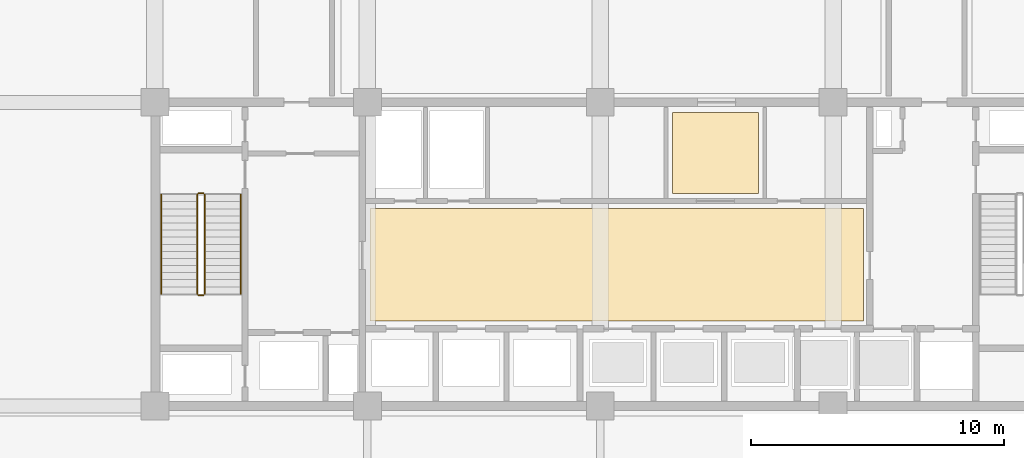
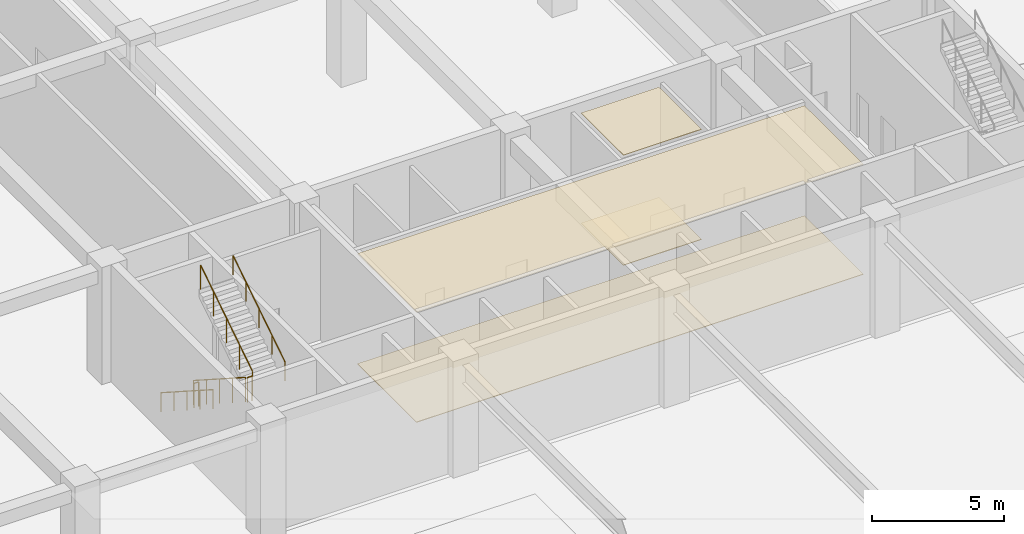
# One storey, part 40 of 46: 6 railings, 4 coverings.
"""IFC4 building model written with IfcOpenShell, lengths in metres."""

from ifc_helpers import new_model, si_unit, direction, frame, origin, origin_2d, place, context, subcontext, project, spatial, polyline, circle, outline, extrude, material, layer, layer_set, type_object, element, save


model = new_model("IFC4")

# Units and contexts
model_context = context("Model", 3, precision=1e-05, world=origin(), true_north=direction((0.0, 1.0)))
body_context = subcontext(model_context, "Body", "Model", "MODEL_VIEW")
ifc_project = project(units=[si_unit("LENGTHUNIT", "METRE"), si_unit("AREAUNIT", "SQUARE_METRE"), si_unit("VOLUMEUNIT", "CUBIC_METRE"), si_unit("PLANEANGLEUNIT", "RADIAN"), si_unit("MASSUNIT", "GRAM", prefix="KILO")], contexts=[model_context])

# Site, building, storey
site_placement = place(None, origin())
site = spatial("IfcSite", under=ifc_project, at=site_placement, CompositionType="ELEMENT")
building_placement = place(site_placement, origin())
building = spatial("IfcBuilding", under=site, at=building_placement, Name="Korimba Cascade Residences", CompositionType="ELEMENT")
storey_placement = place(building_placement, origin())
storey = spatial("IfcBuildingStorey", under=building, at=storey_placement, Name="L00", CompositionType="ELEMENT", Elevation=0.0)

# Coverings
ifc_material_1 = material(Name="Perforated Acoustic Gypsum Ceiling", Category="gypsum")
ifc_layer_1 = layer(ifc_material_1, 0.02490234375)
ifc_layer_set_1 = layer_set([ifc_layer_1], Name="Perforated Acoustic Gypsum Ceiling")
covering_type_1 = type_object("IfcCoveringType", Name="COV-CLG-AC", PredefinedType="CEILING", material=ifc_layer_set_1)
covering_1_placement = place(storey_placement, frame((0.0, 0.0, 5.074951171875)))
element("IfcCovering", 1, at=covering_1_placement, inside=storey, type_object=covering_type_1, Name="L00 Suspended Acoustic Ceiling L00-LL1", PredefinedType="CEILING", context=body_context, shape_type="SweptSolid", body=[
    extrude(outline(polyline([(84.60009765625, 58.550048828125), (104.10009765625, 58.550048828125), (104.10009765625, 63.0), (84.60009765625, 63.0), (84.60009765625, 58.550048828125)])), origin(), (0.0, 0.0, 1.0), 0.025146484375),
])
covering_2_placement = place(storey_placement, frame((0.0, 0.0, 5.074951171875)))
element("IfcCovering", 2, at=covering_2_placement, inside=storey, type_object=covering_type_1, Name="L00 Suspended Acoustic Ceiling L00-LT1", PredefinedType="CEILING", context=body_context, shape_type="SweptSolid", body=[
    extrude(outline(polyline([(96.550048828125, 63.60009765625), (99.949951171875, 63.60009765625), (99.949951171875, 66.800048828125), (96.550048828125, 66.800048828125), (96.550048828125, 63.60009765625)])), origin(), (0.0, 0.0, 1.0), 0.025146484375),
])
ifc_material_2 = material(Name="Honed Travertine Stone Flooring", Category="masonry")
ifc_layer_2 = layer(ifc_material_2, 0.02490234375)
ifc_layer_set_2 = layer_set([ifc_layer_2], Name="Honed Travertine Stone Flooring")
covering_type_2 = type_object("IfcCoveringType", Name="COV-FLR-STN", PredefinedType="FLOORING", material=ifc_layer_set_2)
covering_3_placement = place(storey_placement, origin())
element("IfcCovering", 3, at=covering_3_placement, inside=storey, type_object=covering_type_2, Name="L00 Honed Travertine Stone Flooring L00-LL1", PredefinedType="FLOORING", context=body_context, shape_type="SweptSolid", body=[
    extrude(outline(polyline([(84.60009765625, 58.550048828125), (104.10009765625, 58.550048828125), (104.10009765625, 63.0), (84.60009765625, 63.0), (84.60009765625, 58.550048828125)])), origin(), (0.0, 0.0, 1.0), 0.02490234375),
])
covering_4_placement = place(storey_placement, origin())
element("IfcCovering", 4, at=covering_4_placement, inside=storey, type_object=covering_type_2, Name="L00 Honed Travertine Stone Flooring L00-LT1", PredefinedType="FLOORING", context=body_context, shape_type="SweptSolid", body=[
    extrude(outline(polyline([(96.550048828125, 63.60009765625), (99.949951171875, 63.60009765625), (99.949951171875, 66.800048828125), (96.550048828125, 66.800048828125), (96.550048828125, 63.60009765625)])), origin(), (0.0, 0.0, 1.0), 0.02490234375),
])

# Railings
ifc_material_3 = material(Name="Painted Steel Stairwell Guardrail", Category="steel")
railing_type_1 = type_object("IfcRailingType", Name="RLG-ST-GD1150", PredefinedType="GUARDRAIL", material=ifc_material_3)
railing_1_placement = place(storey_placement, frame((77.77001953125, 63.550048828125, 0.179931640625)))
element("IfcRailing", 5, at=railing_1_placement, inside=storey, type_object=railing_type_1, Name="L00 ST-W1 stair guard 1", PredefinedType="GUARDRAIL", context=body_context, shape_type="SweptSolid", body=[
    extrude(circle(Radius=0.02392578125, at=origin_2d()), frame((0.0, 0.0, 1.1259765625), z_axis=(0.0, -0.841186985886, 0.540744352514), x_axis=(1.0, 0.0, 0.0)), (0.0, 0.0, 1.0), 4.660400390625),
    extrude(circle(Radius=0.02099609375, at=origin_2d()), origin(), (0.0, 0.0, 1.0), 1.101806640625),
    extrude(circle(Radius=0.02099609375, at=origin_2d()), frame((0.0, -0.97998046875, 0.6298828125)), (0.0, 0.0, 1.0), 1.101806640625),
    extrude(circle(Radius=0.02099609375, at=origin_2d()), frame((0.0, -1.9599609375, 1.260009765625)), (0.0, 0.0, 1.0), 1.101806640625),
    extrude(circle(Radius=0.02099609375, at=origin_2d()), frame((0.0, -2.940185546875, 1.89013671875)), (0.0, 0.0, 1.0), 1.101806640625),
    extrude(circle(Radius=0.02099609375, at=origin_2d()), frame((0.0, -3.920166015625, 2.52001953125)), (0.0, 0.0, 1.0), 1.101806640625),
])
railing_2_placement = place(storey_placement, frame((77.820068359375, 59.580078125, 2.699951171875)))
element("IfcRailing", 6, at=railing_2_placement, inside=storey, type_object=railing_type_1, Name="L00 ST-W1 stair guard 2", PredefinedType="GUARDRAIL", context=body_context, shape_type="SweptSolid", body=[
    extrude(circle(Radius=0.02392578125, at=origin_2d()), frame((0.0, 0.0, 1.1259765625), z_axis=(1.0, 0.0, 0.0), x_axis=(0.0, 1.0, 0.0)), (0.0, 0.0, 1.0), 0.199951171875),
    extrude(circle(Radius=0.02099609375, at=origin_2d()), origin(), (0.0, 0.0, 1.0), 1.101806640625),
    extrude(circle(Radius=0.02099609375, at=origin_2d()), frame((0.199951171875, 0.0, 0.0)), (0.0, 0.0, 1.0), 1.101806640625),
])
railing_3_placement = place(storey_placement, frame((78.070068359375, 59.6298828125, 2.8798828125)))
element("IfcRailing", 7, at=railing_3_placement, inside=storey, type_object=railing_type_1, Name="L00 ST-W1 stair guard 3", PredefinedType="GUARDRAIL", context=body_context, shape_type="SweptSolid", body=[
    extrude(circle(Radius=0.02392578125, at=origin_2d()), frame((0.0, 0.0, 1.1259765625), z_axis=(0.0, 0.841186985886, 0.540744352514), x_axis=(-1.0, 0.0, 0.0)), (0.0, 0.0, 1.0), 4.660400390625),
    extrude(circle(Radius=0.02099609375, at=origin_2d()), origin(), (0.0, 0.0, 1.0), 1.101806640625),
    extrude(circle(Radius=0.02099609375, at=origin_2d()), frame((0.0, 0.97998046875, 0.6298828125)), (0.0, 0.0, 1.0), 1.101806640625),
    extrude(circle(Radius=0.02099609375, at=origin_2d()), frame((0.0, 1.9599609375, 1.260009765625)), (0.0, 0.0, 1.0), 1.101806640625),
    extrude(circle(Radius=0.02099609375, at=origin_2d()), frame((0.0, 2.940185546875, 1.89013671875)), (0.0, 0.0, 1.0), 1.101806640625),
    extrude(circle(Radius=0.02099609375, at=origin_2d()), frame((0.0, 3.920166015625, 2.52001953125)), (0.0, 0.0, 1.0), 1.101806640625),
])
railing_4_placement = place(storey_placement, frame((77.820068359375, 63.60009765625, 0.0)))
element("IfcRailing", 8, at=railing_4_placement, inside=storey, type_object=railing_type_1, Name="L00 ST-W1 stair guard 4", PredefinedType="GUARDRAIL", context=body_context, shape_type="SweptSolid", body=[
    extrude(circle(Radius=0.02392578125, at=origin_2d()), frame((0.0, 0.0, 1.1259765625), z_axis=(1.0, 0.0, 0.0), x_axis=(0.0, 1.0, 0.0)), (0.0, 0.0, 1.0), 0.199951171875),
    extrude(circle(Radius=0.02099609375, at=origin_2d()), origin(), (0.0, 0.0, 1.0), 1.101806640625),
    extrude(circle(Radius=0.02099609375, at=origin_2d()), frame((0.199951171875, 0.0, 0.0)), (0.0, 0.0, 1.0), 1.101806640625),
])
ifc_material_4 = material(Name="Brushed Stainless Steel Handrail", Category="steel")
railing_type_2 = type_object("IfcRailingType", Name="RLG-ST-HR900", PredefinedType="HANDRAIL", material=ifc_material_4)
railing_5_placement = place(storey_placement, frame((76.35009765625, 63.550048828125, 0.36376953125)))
element("IfcRailing", 9, at=railing_5_placement, inside=storey, type_object=railing_type_2, Name="L00 ST-W1 stair handrail 1", PredefinedType="HANDRAIL", context=body_context, shape_type="SweptSolid", body=[
    extrude(circle(Radius=0.02392578125, at=origin_2d()), frame((0.0, 0.0, 0.8759765625), z_axis=(0.0, -0.841186985886, 0.540744352514), x_axis=(1.0, 0.0, 0.0)), (0.0, 0.0, 1.0), 4.660400390625),
    extrude(circle(Radius=0.02099609375, at=origin_2d()), origin(), (0.0, 0.0, 1.0), 0.851806640625),
    extrude(circle(Radius=0.02099609375, at=origin_2d()), frame((0.0, -0.97998046875, 0.6298828125)), (0.0, 0.0, 1.0), 0.851806640625),
    extrude(circle(Radius=0.02099609375, at=origin_2d()), frame((0.0, -1.9599609375, 1.260009765625)), (0.0, 0.0, 1.0), 0.851806640625),
    extrude(circle(Radius=0.02099609375, at=origin_2d()), frame((0.0, -2.940185546875, 1.89013671875)), (0.0, 0.0, 1.0), 0.851806640625),
    extrude(circle(Radius=0.02099609375, at=origin_2d()), frame((0.0, -3.920166015625, 2.52001953125)), (0.0, 0.0, 1.0), 0.851806640625),
])
railing_6_placement = place(storey_placement, frame((79.489990234375, 59.6298828125, 3.063720703125)))
element("IfcRailing", 10, at=railing_6_placement, inside=storey, type_object=railing_type_2, Name="L00 ST-W1 stair handrail 2", PredefinedType="HANDRAIL", context=body_context, shape_type="SweptSolid", body=[
    extrude(circle(Radius=0.02392578125, at=origin_2d()), frame((0.0, 0.0, 0.8759765625), z_axis=(0.0, 0.841186985886, 0.540744352514), x_axis=(-1.0, 0.0, 0.0)), (0.0, 0.0, 1.0), 4.660400390625),
    extrude(circle(Radius=0.02099609375, at=origin_2d()), origin(), (0.0, 0.0, 1.0), 0.851806640625),
    extrude(circle(Radius=0.02099609375, at=origin_2d()), frame((0.0, 0.97998046875, 0.6298828125)), (0.0, 0.0, 1.0), 0.851806640625),
    extrude(circle(Radius=0.02099609375, at=origin_2d()), frame((0.0, 1.9599609375, 1.260009765625)), (0.0, 0.0, 1.0), 0.851806640625),
    extrude(circle(Radius=0.02099609375, at=origin_2d()), frame((0.0, 2.940185546875, 1.89013671875)), (0.0, 0.0, 1.0), 0.851806640625),
    extrude(circle(Radius=0.02099609375, at=origin_2d()), frame((0.0, 3.920166015625, 2.52001953125)), (0.0, 0.0, 1.0), 0.851806640625),
])

save(model, "model.ifc")
